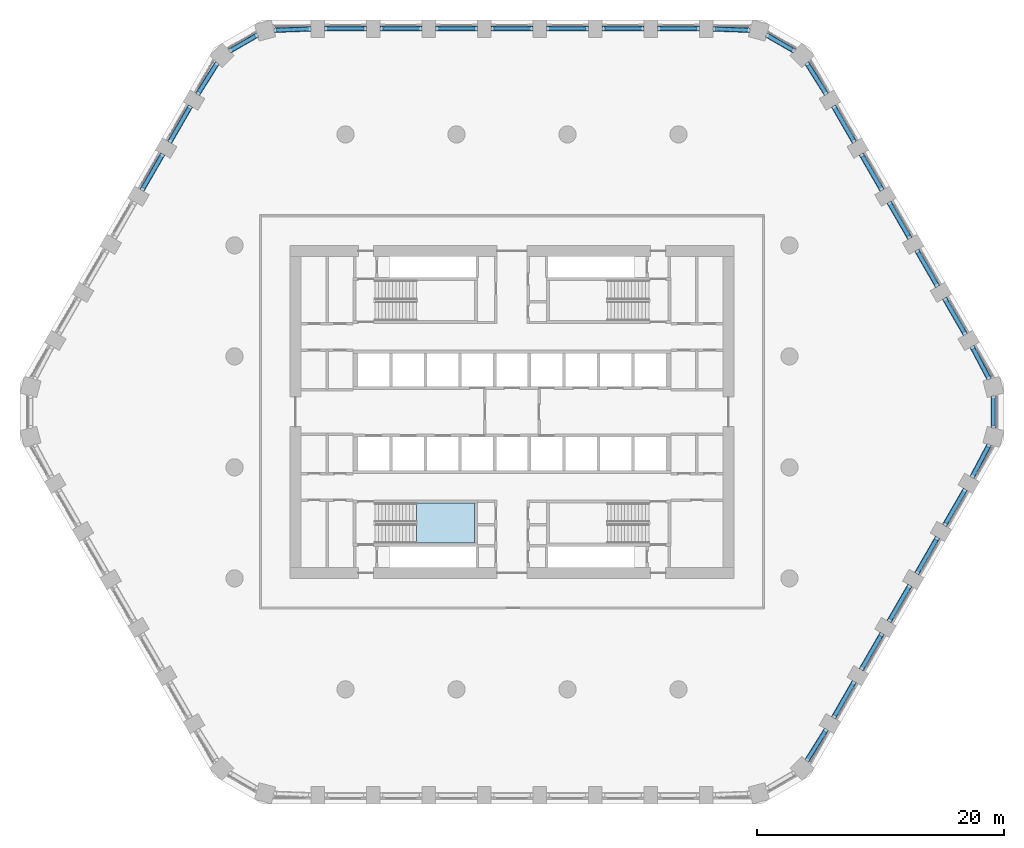
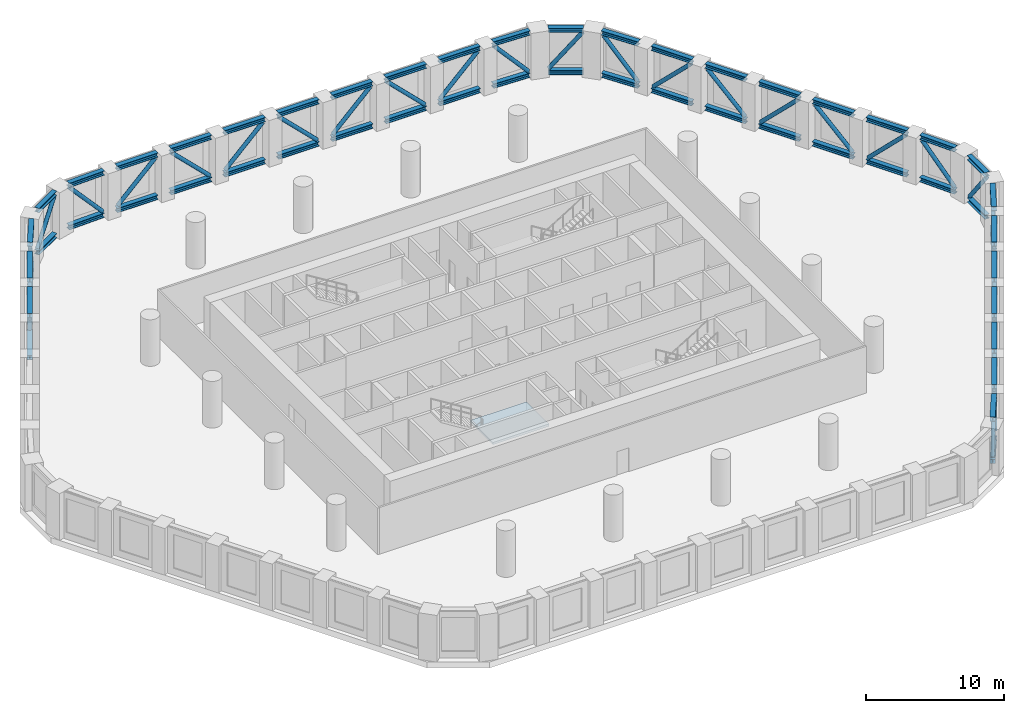
# One storey, part 2 of 18: 58 beams, 29 members, 1 slab, 1 element without a shape of its own.
"""IFC4 building model written with IfcOpenShell, lengths in metres."""

from ifc_helpers import new_model, si_unit, direction, frame, origin, origin_2d, place, context, subcontext, project, spatial, polyline, hollow_circle, i_section, outline, extrude, material, layer, layer_set, material_profile, profile_set, type_object, element, aggregate, save


model = new_model("IFC4")

# Units and contexts
model_context = context("Model", 3, precision=1e-05, world=origin(), true_north=direction((0.0, 1.0)))
body_context = subcontext(model_context, "Body", "Model", "MODEL_VIEW")
ifc_project = project(units=[si_unit("LENGTHUNIT", "METRE"), si_unit("AREAUNIT", "SQUARE_METRE"), si_unit("VOLUMEUNIT", "CUBIC_METRE"), si_unit("PLANEANGLEUNIT", "RADIAN"), si_unit("MASSUNIT", "GRAM", prefix="KILO")], contexts=[model_context])

# Site, building, storey
site_placement = place(None, origin())
site = spatial("IfcSite", under=ifc_project, at=site_placement, CompositionType="ELEMENT")
building_placement = place(site_placement, origin())
building = spatial("IfcBuilding", under=site, at=building_placement, Name="Dhurran Vertical Campus", CompositionType="ELEMENT")
storey_placement = place(building_placement, frame((0.0, 0.0, 76.800048828125)))
storey = spatial("IfcBuildingStorey", under=building, at=storey_placement, Name="L18 Plant", CompositionType="ELEMENT", Elevation=76.800048828125)

# Beams
ifc_material_1 = material(Name="Steel ASTM A992", Category="steel")
ifc_material_profile_1 = material_profile(ifc_material_1, i_section(OverallWidth=0.39794921875, OverallDepth=0.386962890625, WebThickness=0.02099609375, FlangeThickness=0.033203125, at=origin_2d()), Name="W360x262")
ifc_profile_set_1 = profile_set([ifc_material_profile_1], Name="Steel ASTM A992")
beam_type = type_object("IfcBeamType", Name="FR BELT CHORD W360x262", PredefinedType="BEAM", material=ifc_profile_set_1)
for number, where, z_axis, x_axis, name in (
    (1, (23.901123046875, -28.2939453125, 0.193359375), (0.531539080698, 0.84703376892, 0.0), (-0.84703376892, 0.531539080698, 0.0), "Belt truss chord L18"),
    (2, (23.901123046875, -28.2939453125, 3.931396484375), (0.531539080698, 0.84703376892, 0.0), (-0.84703376892, 0.531539080698, 0.0), "Belt truss chord L18"),
):
    element("IfcBeam", number, at=place(storey_placement, frame(where, z_axis=z_axis, x_axis=x_axis)), inside=storey, type_object=beam_type, Name=name, PredefinedType="BEAM", context=body_context, shape_type="SweptSolid", body=[
        extrude(i_section(OverallWidth=0.39794921875, OverallDepth=0.386962890625, WebThickness=0.02099609375, FlangeThickness=0.033203125, at=origin_2d()), origin(), (0.0, 0.0, 1.0), 3.0048828125),
    ])
for number, where, z_axis, x_axis, name in (
    (3, (26.06591796875, -24.806396484375, 0.193359375), (0.499977295307, 0.866038511948, 0.0), (-0.866038511948, 0.499977295307, 0.0), "Belt truss chord L18"),
    (4, (26.06591796875, -24.806396484375, 3.931396484375), (0.499977295307, 0.866038511948, 0.0), (-0.866038511948, 0.499977295307, 0.0), "Belt truss chord L18"),
):
    element("IfcBeam", number, at=place(storey_placement, frame(where, z_axis=z_axis, x_axis=x_axis)), inside=storey, type_object=beam_type, Name=name, PredefinedType="BEAM", context=body_context, shape_type="SweptSolid", body=[
        extrude(i_section(OverallWidth=0.39794921875, OverallDepth=0.386962890625, WebThickness=0.02099609375, FlangeThickness=0.033203125, at=origin_2d()), origin(), (0.0, 0.0, 1.0), 3.400146484375),
    ])
for number, where, z_axis, x_axis, name in (
    (5, (28.31591796875, -20.9091796875, 0.193359375), (0.500008388397, 0.866020560687, 0.0), (-0.866020560687, 0.500008388397, 0.0), "Belt truss chord L18"),
    (6, (28.31591796875, -20.9091796875, 3.931396484375), (0.500008388397, 0.866020560687, 0.0), (-0.866020560687, 0.500008388397, 0.0), "Belt truss chord L18"),
):
    element("IfcBeam", number, at=place(storey_placement, frame(where, z_axis=z_axis, x_axis=x_axis)), inside=storey, type_object=beam_type, Name=name, PredefinedType="BEAM", context=body_context, shape_type="SweptSolid", body=[
        extrude(i_section(OverallWidth=0.39794921875, OverallDepth=0.386962890625, WebThickness=0.02099609375, FlangeThickness=0.033203125, at=origin_2d()), origin(), (0.0, 0.0, 1.0), 3.39990234375),
    ])
for number, where, z_axis, x_axis, name in (
    (7, (30.56591796875, -17.01220703125, 0.193359375), (0.499977295307, 0.866038511948, 0.0), (-0.866038511948, 0.499977295307, 0.0), "Belt truss chord L18"),
    (8, (30.56591796875, -17.01220703125, 3.931396484375), (0.499977295307, 0.866038511948, 0.0), (-0.866038511948, 0.499977295307, 0.0), "Belt truss chord L18"),
    (9, (32.81591796875, -13.114990234375, 0.193359375), (0.499977295307, 0.866038511948, 0.0), (-0.866038511948, 0.499977295307, 0.0), "Belt truss chord L18"),
    (10, (32.81591796875, -13.114990234375, 3.931396484375), (0.499977295307, 0.866038511948, 0.0), (-0.866038511948, 0.499977295307, 0.0), "Belt truss chord L18"),
    (11, (35.06591796875, -9.218017578125, 0.193359375), (0.499977295307, 0.866038511948, 0.0), (-0.866038511948, 0.499977295307, 0.0), "Belt truss chord L18"),
    (12, (35.06591796875, -9.218017578125, 3.931396484375), (0.499977295307, 0.866038511948, 0.0), (-0.866038511948, 0.499977295307, 0.0), "Belt truss chord L18"),
):
    element("IfcBeam", number, at=place(storey_placement, frame(where, z_axis=z_axis, x_axis=x_axis)), inside=storey, type_object=beam_type, Name=name, PredefinedType="BEAM", context=body_context, shape_type="SweptSolid", body=[
        extrude(i_section(OverallWidth=0.39794921875, OverallDepth=0.386962890625, WebThickness=0.02099609375, FlangeThickness=0.033203125, at=origin_2d()), origin(), (0.0, 0.0, 1.0), 3.400146484375),
    ])
for number, where, z_axis, x_axis, name in (
    (13, (37.29833984375, -5.310791015625, 0.193359375), (0.467764521127, 0.883853128509, 0.0), (-0.883853128509, 0.467764521127, 0.0), "Belt truss chord L18"),
    (14, (37.29833984375, -5.310791015625, 3.931396484375), (0.467764521127, 0.883853128509, 0.0), (-0.883853128509, 0.467764521127, 0.0), "Belt truss chord L18"),
):
    element("IfcBeam", number, at=place(storey_placement, frame(where, z_axis=z_axis, x_axis=x_axis)), inside=storey, type_object=beam_type, Name=name, PredefinedType="BEAM", context=body_context, shape_type="SweptSolid", body=[
        extrude(i_section(OverallWidth=0.39794921875, OverallDepth=0.386962890625, WebThickness=0.02099609375, FlangeThickness=0.033203125, at=origin_2d()), origin(), (0.0, 0.0, 1.0), 3.004638671875),
    ])
for number, where, z_axis, x_axis, name in (
    (15, (39.039794921875, -1.295654296875, 0.193359375), (0.0, 1.0, 0.0), (-1.0, 0.0, 0.0), "Belt truss chord L18"),
    (16, (39.039794921875, -1.295654296875, 3.931396484375), (0.0, 1.0, 0.0), (-1.0, 0.0, 0.0), "Belt truss chord L18"),
):
    element("IfcBeam", number, at=place(storey_placement, frame(where, z_axis=z_axis, x_axis=x_axis)), inside=storey, type_object=beam_type, Name=name, PredefinedType="BEAM", context=body_context, shape_type="SweptSolid", body=[
        extrude(i_section(OverallWidth=0.39794921875, OverallDepth=0.386962890625, WebThickness=0.02099609375, FlangeThickness=0.033203125, at=origin_2d()), origin(), (0.0, 0.0, 1.0), 2.59130859375),
    ])
for number, where, z_axis, x_axis, name in (
    (17, (38.703857421875, 2.655029296875, 0.193359375), (-0.467764521127, 0.883853128509, 0.0), (-0.883853128509, -0.467764521127, 0.0), "Belt truss chord L18"),
    (18, (38.703857421875, 2.655029296875, 3.931396484375), (-0.467764521127, 0.883853128509, 0.0), (-0.883853128509, -0.467764521127, 0.0), "Belt truss chord L18"),
):
    element("IfcBeam", number, at=place(storey_placement, frame(where, z_axis=z_axis, x_axis=x_axis)), inside=storey, type_object=beam_type, Name=name, PredefinedType="BEAM", context=body_context, shape_type="SweptSolid", body=[
        extrude(i_section(OverallWidth=0.39794921875, OverallDepth=0.386962890625, WebThickness=0.02099609375, FlangeThickness=0.033203125, at=origin_2d()), origin(), (0.0, 0.0, 1.0), 3.004638671875),
    ])
for number, where, z_axis, x_axis, name in (
    (19, (36.765869140625, 6.2734375, 0.193359375), (-0.499977295307, 0.866038511948, 0.0), (-0.866038511948, -0.499977295307, 0.0), "Belt truss chord L18"),
    (20, (36.765869140625, 6.2734375, 3.931396484375), (-0.499977295307, 0.866038511948, 0.0), (-0.866038511948, -0.499977295307, 0.0), "Belt truss chord L18"),
    (21, (34.515869140625, 10.17041015625, 0.193359375), (-0.499977295307, 0.866038511948, 0.0), (-0.866038511948, -0.499977295307, 0.0), "Belt truss chord L18"),
    (22, (34.515869140625, 10.17041015625, 3.931396484375), (-0.499977295307, 0.866038511948, 0.0), (-0.866038511948, -0.499977295307, 0.0), "Belt truss chord L18"),
    (23, (32.265869140625, 14.067626953125, 0.193359375), (-0.499977295307, 0.866038511948, 0.0), (-0.866038511948, -0.499977295307, 0.0), "Belt truss chord L18"),
    (24, (32.265869140625, 14.067626953125, 3.931396484375), (-0.499977295307, 0.866038511948, 0.0), (-0.866038511948, -0.499977295307, 0.0), "Belt truss chord L18"),
):
    element("IfcBeam", number, at=place(storey_placement, frame(where, z_axis=z_axis, x_axis=x_axis)), inside=storey, type_object=beam_type, Name=name, PredefinedType="BEAM", context=body_context, shape_type="SweptSolid", body=[
        extrude(i_section(OverallWidth=0.39794921875, OverallDepth=0.386962890625, WebThickness=0.02099609375, FlangeThickness=0.033203125, at=origin_2d()), origin(), (0.0, 0.0, 1.0), 3.400146484375),
    ])
for number, where, z_axis, x_axis, name in (
    (25, (30.015869140625, 17.96484375, 0.193359375), (-0.500008388397, 0.866020560687, 0.0), (-0.866020560687, -0.500008388397, 0.0), "Belt truss chord L18"),
    (26, (30.015869140625, 17.96484375, 3.931396484375), (-0.500008388397, 0.866020560687, 0.0), (-0.866020560687, -0.500008388397, 0.0), "Belt truss chord L18"),
):
    element("IfcBeam", number, at=place(storey_placement, frame(where, z_axis=z_axis, x_axis=x_axis)), inside=storey, type_object=beam_type, Name=name, PredefinedType="BEAM", context=body_context, shape_type="SweptSolid", body=[
        extrude(i_section(OverallWidth=0.39794921875, OverallDepth=0.386962890625, WebThickness=0.02099609375, FlangeThickness=0.033203125, at=origin_2d()), origin(), (0.0, 0.0, 1.0), 3.39990234375),
    ])
for number, where, z_axis, x_axis, name in (
    (27, (27.765869140625, 21.86181640625, 0.193359375), (-0.499977295307, 0.866038511948, 0.0), (-0.866038511948, -0.499977295307, 0.0), "Belt truss chord L18"),
    (28, (27.765869140625, 21.86181640625, 3.931396484375), (-0.499977295307, 0.866038511948, 0.0), (-0.866038511948, -0.499977295307, 0.0), "Belt truss chord L18"),
):
    element("IfcBeam", number, at=place(storey_placement, frame(where, z_axis=z_axis, x_axis=x_axis)), inside=storey, type_object=beam_type, Name=name, PredefinedType="BEAM", context=body_context, shape_type="SweptSolid", body=[
        extrude(i_section(OverallWidth=0.39794921875, OverallDepth=0.386962890625, WebThickness=0.02099609375, FlangeThickness=0.033203125, at=origin_2d()), origin(), (0.0, 0.0, 1.0), 3.400146484375),
    ])
for number, where, z_axis, x_axis, name in (
    (29, (25.498291015625, 25.748779296875, 0.193359375), (-0.531539080698, 0.84703376892, 0.0), (-0.84703376892, -0.531539080698, 0.0), "Belt truss chord L18"),
    (30, (25.498291015625, 25.748779296875, 3.931396484375), (-0.531539080698, 0.84703376892, 0.0), (-0.84703376892, -0.531539080698, 0.0), "Belt truss chord L18"),
):
    element("IfcBeam", number, at=place(storey_placement, frame(where, z_axis=z_axis, x_axis=x_axis)), inside=storey, type_object=beam_type, Name=name, PredefinedType="BEAM", context=body_context, shape_type="SweptSolid", body=[
        extrude(i_section(OverallWidth=0.39794921875, OverallDepth=0.386962890625, WebThickness=0.02099609375, FlangeThickness=0.033203125, at=origin_2d()), origin(), (0.0, 0.0, 1.0), 3.0048828125),
    ])
for number, where, z_axis, x_axis, name in (
    (31, (22.891845703125, 29.2646484375, 0.193359375), (-0.866042797968, 0.49996987118, 0.0), (-0.49996987118, -0.866042797968, 0.0), "Belt truss chord L18"),
    (32, (22.891845703125, 29.2646484375, 3.931396484375), (-0.866042797968, 0.49996987118, 0.0), (-0.49996987118, -0.866042797968, 0.0), "Belt truss chord L18"),
):
    element("IfcBeam", number, at=place(storey_placement, frame(where, z_axis=z_axis, x_axis=x_axis)), inside=storey, type_object=beam_type, Name=name, PredefinedType="BEAM", context=body_context, shape_type="SweptSolid", body=[
        extrude(i_section(OverallWidth=0.39794921875, OverallDepth=0.386962890625, WebThickness=0.02099609375, FlangeThickness=0.033203125, at=origin_2d()), origin(), (0.0, 0.0, 1.0), 2.591064453125),
    ])
for number, where, z_axis, x_axis, name in (
    (33, (19.302734375, 30.948974609375, 0.193359375), (-0.999322381582, 0.036807304566, 0.0), (-0.036807304566, -0.999322381582, 0.0), "Belt truss chord L18"),
    (34, (19.302734375, 30.948974609375, 3.931396484375), (-0.999322381582, 0.036807304566, 0.0), (-0.036807304566, -0.999322381582, 0.0), "Belt truss chord L18"),
):
    element("IfcBeam", number, at=place(storey_placement, frame(where, z_axis=z_axis, x_axis=x_axis)), inside=storey, type_object=beam_type, Name=name, PredefinedType="BEAM", context=body_context, shape_type="SweptSolid", body=[
        extrude(i_section(OverallWidth=0.39794921875, OverallDepth=0.386962890625, WebThickness=0.02099609375, FlangeThickness=0.033203125, at=origin_2d()), origin(), (0.0, 0.0, 1.0), 3.004638671875),
    ])
for number, where, z_axis, x_axis, name in (
    (35, (15.199951171875, 31.079833984375, 0.193359375), (-1.0, 0.0, 0.0), (0.0, -1.0, 0.0), "Belt truss chord L18"),
    (36, (15.199951171875, 31.079833984375, 3.931396484375), (-1.0, 0.0, 0.0), (0.0, -1.0, 0.0), "Belt truss chord L18"),
    (37, (10.699951171875, 31.079833984375, 0.193359375), (-1.0, 0.0, 0.0), (0.0, -1.0, 0.0), "Belt truss chord L18"),
    (38, (10.699951171875, 31.079833984375, 3.931396484375), (-1.0, 0.0, 0.0), (0.0, -1.0, 0.0), "Belt truss chord L18"),
    (39, (6.199951171875, 31.079833984375, 0.193359375), (-1.0, 0.0, 0.0), (0.0, -1.0, 0.0), "Belt truss chord L18"),
    (40, (6.199951171875, 31.079833984375, 3.931396484375), (-1.0, 0.0, 0.0), (0.0, -1.0, 0.0), "Belt truss chord L18"),
    (41, (1.699951171875, 31.079833984375, 0.193359375), (-1.0, 0.0, 0.0), (0.0, -1.0, 0.0), "Belt truss chord L18"),
    (42, (1.699951171875, 31.079833984375, 3.931396484375), (-1.0, 0.0, 0.0), (0.0, -1.0, 0.0), "Belt truss chord L18"),
    (43, (-2.800048828125, 31.079833984375, 0.193359375), (-1.0, 0.0, 0.0), (0.0, -1.0, 0.0), "Belt truss chord L18"),
    (44, (-2.800048828125, 31.079833984375, 3.931396484375), (-1.0, 0.0, 0.0), (0.0, -1.0, 0.0), "Belt truss chord L18"),
    (45, (-7.300048828125, 31.079833984375, 0.193359375), (-1.0, 0.0, 0.0), (0.0, -1.0, 0.0), "Belt truss chord L18"),
    (46, (-7.300048828125, 31.079833984375, 3.931396484375), (-1.0, 0.0, 0.0), (0.0, -1.0, 0.0), "Belt truss chord L18"),
    (47, (-11.800048828125, 31.079833984375, 0.193359375), (-1.0, 0.0, 0.0), (0.0, -1.0, 0.0), "Belt truss chord L18"),
    (48, (-11.800048828125, 31.079833984375, 3.931396484375), (-1.0, 0.0, 0.0), (0.0, -1.0, 0.0), "Belt truss chord L18"),
):
    element("IfcBeam", number, at=place(storey_placement, frame(where, z_axis=z_axis, x_axis=x_axis)), inside=storey, type_object=beam_type, Name=name, PredefinedType="BEAM", context=body_context, shape_type="SweptSolid", body=[
        extrude(i_section(OverallWidth=0.39794921875, OverallDepth=0.386962890625, WebThickness=0.02099609375, FlangeThickness=0.033203125, at=origin_2d()), origin(), (0.0, 0.0, 1.0), 3.39990234375),
    ])
for number, where, z_axis, x_axis, name in (
    (49, (-16.300048828125, 31.0595703125, 0.193359375), (-0.999322381582, -0.036807304566, 0.0), (0.036807304566, -0.999322381582, 0.0), "Belt truss chord L18"),
    (50, (-16.300048828125, 31.0595703125, 3.931396484375), (-0.999322381582, -0.036807304566, 0.0), (0.036807304566, -0.999322381582, 0.0), "Belt truss chord L18"),
):
    element("IfcBeam", number, at=place(storey_placement, frame(where, z_axis=z_axis, x_axis=x_axis)), inside=storey, type_object=beam_type, Name=name, PredefinedType="BEAM", context=body_context, shape_type="SweptSolid", body=[
        extrude(i_section(OverallWidth=0.39794921875, OverallDepth=0.386962890625, WebThickness=0.02099609375, FlangeThickness=0.033203125, at=origin_2d()), origin(), (0.0, 0.0, 1.0), 3.004638671875),
    ])
for number, where, z_axis, x_axis, name in (
    (51, (-20.64794921875, 30.56005859375, 0.193359375), (-0.866042797968, -0.49996987118, 0.0), (0.49996987118, -0.866042797968, 0.0), "Belt truss chord L18"),
    (52, (-20.64794921875, 30.56005859375, 3.931396484375), (-0.866042797968, -0.49996987118, 0.0), (0.49996987118, -0.866042797968, 0.0), "Belt truss chord L18"),
):
    element("IfcBeam", number, at=place(storey_placement, frame(where, z_axis=z_axis, x_axis=x_axis)), inside=storey, type_object=beam_type, Name=name, PredefinedType="BEAM", context=body_context, shape_type="SweptSolid", body=[
        extrude(i_section(OverallWidth=0.39794921875, OverallDepth=0.386962890625, WebThickness=0.02099609375, FlangeThickness=0.033203125, at=origin_2d()), origin(), (0.0, 0.0, 1.0), 2.591064453125),
    ])
for number, where, z_axis, x_axis, name in (
    (53, (-23.901123046875, 28.2939453125, 0.193359375), (-0.531539080698, -0.84703376892, 0.0), (0.84703376892, -0.531539080698, 0.0), "Belt truss chord L18"),
    (54, (-23.901123046875, 28.2939453125, 3.931396484375), (-0.531539080698, -0.84703376892, 0.0), (0.84703376892, -0.531539080698, 0.0), "Belt truss chord L18"),
):
    element("IfcBeam", number, at=place(storey_placement, frame(where, z_axis=z_axis, x_axis=x_axis)), inside=storey, type_object=beam_type, Name=name, PredefinedType="BEAM", context=body_context, shape_type="SweptSolid", body=[
        extrude(i_section(OverallWidth=0.39794921875, OverallDepth=0.386962890625, WebThickness=0.02099609375, FlangeThickness=0.033203125, at=origin_2d()), origin(), (0.0, 0.0, 1.0), 3.0048828125),
    ])
for number, where, z_axis, x_axis, name in (
    (55, (-26.06591796875, 24.806396484375, 0.193359375), (-0.499977295307, -0.866038511948, 0.0), (0.866038511948, -0.499977295307, 0.0), "Belt truss chord L18"),
    (56, (-26.06591796875, 24.806396484375, 3.931396484375), (-0.499977295307, -0.866038511948, 0.0), (0.866038511948, -0.499977295307, 0.0), "Belt truss chord L18"),
):
    element("IfcBeam", number, at=place(storey_placement, frame(where, z_axis=z_axis, x_axis=x_axis)), inside=storey, type_object=beam_type, Name=name, PredefinedType="BEAM", context=body_context, shape_type="SweptSolid", body=[
        extrude(i_section(OverallWidth=0.39794921875, OverallDepth=0.386962890625, WebThickness=0.02099609375, FlangeThickness=0.033203125, at=origin_2d()), origin(), (0.0, 0.0, 1.0), 3.400146484375),
    ])
for number, where, z_axis, x_axis, name in (
    (57, (-28.31591796875, 20.9091796875, 0.193359375), (-0.500008388397, -0.866020560687, 0.0), (0.866020560687, -0.500008388397, 0.0), "Belt truss chord L18"),
    (58, (-28.31591796875, 20.9091796875, 3.931396484375), (-0.500008388397, -0.866020560687, 0.0), (0.866020560687, -0.500008388397, 0.0), "Belt truss chord L18"),
):
    element("IfcBeam", number, at=place(storey_placement, frame(where, z_axis=z_axis, x_axis=x_axis)), inside=storey, type_object=beam_type, Name=name, PredefinedType="BEAM", context=body_context, shape_type="SweptSolid", body=[
        extrude(i_section(OverallWidth=0.39794921875, OverallDepth=0.386962890625, WebThickness=0.02099609375, FlangeThickness=0.033203125, at=origin_2d()), origin(), (0.0, 0.0, 1.0), 3.39990234375),
    ])

# Members
ifc_material_2 = material(Name="Steel S355J2H", Category="steel")
ifc_material_profile_2 = material_profile(ifc_material_2, hollow_circle(Radius=0.161865234375, WallThickness=0.012451171875, at=origin_2d()), Name="CHS323.9x12.5")
ifc_profile_set_2 = profile_set([ifc_material_profile_2], Name="Steel S355J2H")
member_type = type_object("IfcMemberType", Name="FR BELT DIAGONAL CHS323.9x12.5", PredefinedType="BRACE", material=ifc_profile_set_2)
member_1_placement = place(storey_placement, frame((23.95263671875, -28.2119140625, 0.4951171875), z_axis=(0.354866693069, 0.56546731876, 0.7445242384), x_axis=(-0.847020954867, 0.531559499978, 0.0)))
element("IfcMember", 59, at=member_1_placement, inside=storey, type_object=member_type, Name="Belt truss diagonal L18", PredefinedType="BRACE", context=body_context, shape_type="SweptSolid", body=[
    extrude(hollow_circle(Radius=0.161865234375, WallThickness=0.012451171875, at=origin_2d()), origin(), (0.0, 0.0, 1.0), 4.21044921875),
])
for number, where, z_axis, x_axis, name in (
    (60, (27.70751953125, -21.96337890625, 0.502197265625), (-0.356119100583, -0.616782464458, 0.701967647216), (0.866013499974, -0.500020617438, 0.0), "Belt truss diagonal L18"),
    (61, (28.37451171875, -20.807861328125, 0.502197265625), (0.356119100583, 0.616782464458, 0.701967647216), (-0.866013499974, 0.500020617438, 0.0), "Belt truss diagonal L18"),
):
    element("IfcMember", number, at=place(storey_placement, frame(where, z_axis=z_axis, x_axis=x_axis)), inside=storey, type_object=member_type, Name=name, PredefinedType="BRACE", context=body_context, shape_type="SweptSolid", body=[
        extrude(hollow_circle(Radius=0.161865234375, WallThickness=0.012451171875, at=origin_2d()), origin(), (0.0, 0.0, 1.0), 4.445068359375),
    ])
member_2_placement = place(storey_placement, frame((32.20751953125, -14.1689453125, 0.502197265625), z_axis=(-0.356107036986, -0.616816491732, 0.701943867939), x_axis=(0.866032778651, -0.499987226139, 0.0)))
element("IfcMember", 62, at=member_2_placement, inside=storey, type_object=member_type, Name="Belt truss diagonal L18", PredefinedType="BRACE", context=body_context, shape_type="SweptSolid", body=[
    extrude(hollow_circle(Radius=0.161865234375, WallThickness=0.012451171875, at=origin_2d()), origin(), (0.0, 0.0, 1.0), 4.4453125),
])
for number, where, z_axis, x_axis, name in (
    (63, (32.87451171875, -13.013671875, 0.502197265625), (0.356119100583, 0.616782464458, 0.701967647216), (-0.866013499974, 0.500020617438, 0.0), "Belt truss diagonal L18"),
    (64, (36.70751953125, -6.374755859375, 0.502197265625), (-0.356119100583, -0.616782464458, 0.701967647216), (0.866013499974, -0.500020617438, 0.0), "Belt truss diagonal L18"),
):
    element("IfcMember", number, at=place(storey_placement, frame(where, z_axis=z_axis, x_axis=x_axis)), inside=storey, type_object=member_type, Name=name, PredefinedType="BRACE", context=body_context, shape_type="SweptSolid", body=[
        extrude(hollow_circle(Radius=0.161865234375, WallThickness=0.012451171875, at=origin_2d()), origin(), (0.0, 0.0, 1.0), 4.445068359375),
    ])
member_3_placement = place(storey_placement, frame((37.34375, -5.22509765625, 0.4951171875), z_axis=(0.31225141768, 0.590059503492, 0.744532628228), x_axis=(-0.883870300674, 0.467732072438, 0.0)))
element("IfcMember", 65, at=member_3_placement, inside=storey, type_object=member_type, Name="Belt truss diagonal L18", PredefinedType="BRACE", context=body_context, shape_type="SweptSolid", body=[
    extrude(hollow_circle(Radius=0.161865234375, WallThickness=0.012451171875, at=origin_2d()), origin(), (0.0, 0.0, 1.0), 4.21044921875),
])
member_4_placement = place(storey_placement, frame((39.039794921875, 1.218994140625, 0.486083984375), z_axis=(0.0, -0.611715952192, 0.791077489146), x_axis=(1.0, 0.0, 0.0)))
element("IfcMember", 66, at=member_4_placement, inside=storey, type_object=member_type, Name="Belt truss diagonal L18", PredefinedType="BRACE", context=body_context, shape_type="SweptSolid", body=[
    extrude(hollow_circle(Radius=0.161865234375, WallThickness=0.012451171875, at=origin_2d()), origin(), (0.0, 0.0, 1.0), 3.985595703125),
])
member_5_placement = place(storey_placement, frame((38.658447265625, 2.74072265625, 0.4951171875), z_axis=(-0.31225141768, 0.590059503492, 0.744532628228), x_axis=(-0.883870300674, -0.467732072438, 0.0)))
element("IfcMember", 67, at=member_5_placement, inside=storey, type_object=member_type, Name="Belt truss diagonal L18", PredefinedType="BRACE", context=body_context, shape_type="SweptSolid", body=[
    extrude(hollow_circle(Radius=0.161865234375, WallThickness=0.012451171875, at=origin_2d()), origin(), (0.0, 0.0, 1.0), 4.21044921875),
])
for number, where, z_axis, x_axis, name in (
    (68, (35.12451171875, 9.116455078125, 0.502197265625), (0.356119100583, -0.616782464458, 0.701967647216), (0.866013499974, 0.500020617438, 0.0), "Belt truss diagonal L18"),
    (69, (34.45751953125, 10.27197265625, 0.502197265625), (-0.356119100583, 0.616782464458, 0.701967647216), (-0.866013499974, -0.500020617438, 0.0), "Belt truss diagonal L18"),
):
    element("IfcMember", number, at=place(storey_placement, frame(where, z_axis=z_axis, x_axis=x_axis)), inside=storey, type_object=member_type, Name=name, PredefinedType="BRACE", context=body_context, shape_type="SweptSolid", body=[
        extrude(hollow_circle(Radius=0.161865234375, WallThickness=0.012451171875, at=origin_2d()), origin(), (0.0, 0.0, 1.0), 4.445068359375),
    ])
member_6_placement = place(storey_placement, frame((30.62451171875, 16.910888671875, 0.502197265625), z_axis=(0.356107036986, -0.616816491732, 0.701943867939), x_axis=(0.866032778651, 0.499987226139, 0.0)))
element("IfcMember", 70, at=member_6_placement, inside=storey, type_object=member_type, Name="Belt truss diagonal L18", PredefinedType="BRACE", context=body_context, shape_type="SweptSolid", body=[
    extrude(hollow_circle(Radius=0.161865234375, WallThickness=0.012451171875, at=origin_2d()), origin(), (0.0, 0.0, 1.0), 4.4453125),
])
for number, where, z_axis, x_axis, name in (
    (71, (29.95751953125, 18.066162109375, 0.502197265625), (-0.356119100583, 0.616782464458, 0.701967647216), (-0.866013499974, -0.500020617438, 0.0), "Belt truss diagonal L18"),
    (72, (26.12451171875, 24.705078125, 0.502197265625), (0.356119100583, -0.616782464458, 0.701967647216), (0.866013499974, 0.500020617438, 0.0), "Belt truss diagonal L18"),
):
    element("IfcMember", number, at=place(storey_placement, frame(where, z_axis=z_axis, x_axis=x_axis)), inside=storey, type_object=member_type, Name=name, PredefinedType="BRACE", context=body_context, shape_type="SweptSolid", body=[
        extrude(hollow_circle(Radius=0.161865234375, WallThickness=0.012451171875, at=origin_2d()), origin(), (0.0, 0.0, 1.0), 4.445068359375),
    ])
member_7_placement = place(storey_placement, frame((25.44677734375, 25.8310546875, 0.4951171875), z_axis=(-0.354866693069, 0.56546731876, 0.7445242384), x_axis=(-0.847020954867, -0.531559499978, 0.0)))
element("IfcMember", 73, at=member_7_placement, inside=storey, type_object=member_type, Name="Belt truss diagonal L18", PredefinedType="BRACE", context=body_context, shape_type="SweptSolid", body=[
    extrude(hollow_circle(Radius=0.161865234375, WallThickness=0.012451171875, at=origin_2d()), origin(), (0.0, 0.0, 1.0), 4.21044921875),
])
member_8_placement = place(storey_placement, frame((20.714111328125, 30.521728515625, 0.486083984375), z_axis=(0.529809829071, -0.305793810466, 0.791069965617), x_axis=(0.499887154776, 0.866090545203, 0.0)))
element("IfcMember", 74, at=member_8_placement, inside=storey, type_object=member_type, Name="Belt truss diagonal L18", PredefinedType="BRACE", context=body_context, shape_type="SweptSolid", body=[
    extrude(hollow_circle(Radius=0.161865234375, WallThickness=0.012451171875, at=origin_2d()), origin(), (0.0, 0.0, 1.0), 3.985595703125),
])
member_9_placement = place(storey_placement, frame((19.205810546875, 30.952392578125, 0.4951171875), z_axis=(-0.667127044446, 0.024585994511, 0.744538135653), x_axis=(-0.036828540466, -0.99932159919, 0.0)))
element("IfcMember", 75, at=member_9_placement, inside=storey, type_object=member_type, Name="Belt truss diagonal L18", PredefinedType="BRACE", context=body_context, shape_type="SweptSolid", body=[
    extrude(hollow_circle(Radius=0.161865234375, WallThickness=0.012451171875, at=origin_2d()), origin(), (0.0, 0.0, 1.0), 4.21044921875),
])
for number, where, z_axis, x_axis, name in (
    (76, (11.9169921875, 31.079833984375, 0.502197265625), (0.712223304125, 0.0, 0.701952964992), (0.0, 1.0, 0.0), "Belt truss diagonal L18"),
    (77, (10.5830078125, 31.079833984375, 0.502197265625), (-0.712223304125, 0.0, 0.701952964992), (0.0, -1.0, 0.0), "Belt truss diagonal L18"),
    (78, (2.9169921875, 31.079833984375, 0.502197265625), (0.712223304125, 0.0, 0.701952964992), (0.0, 1.0, 0.0), "Belt truss diagonal L18"),
    (79, (1.5830078125, 31.079833984375, 0.502197265625), (-0.712223304125, 0.0, 0.701952964992), (0.0, -1.0, 0.0), "Belt truss diagonal L18"),
    (80, (-6.0830078125, 31.079833984375, 0.502197265625), (0.712223304125, 0.0, 0.701952964992), (0.0, 1.0, 0.0), "Belt truss diagonal L18"),
    (81, (-7.4169921875, 31.079833984375, 0.502197265625), (-0.712223304125, 0.0, 0.701952964992), (0.0, -1.0, 0.0), "Belt truss diagonal L18"),
    (82, (-15.0830078125, 31.079833984375, 0.502197265625), (0.712223304125, 0.0, 0.701952964992), (0.0, 1.0, 0.0), "Belt truss diagonal L18"),
):
    element("IfcMember", number, at=place(storey_placement, frame(where, z_axis=z_axis, x_axis=x_axis)), inside=storey, type_object=member_type, Name=name, PredefinedType="BRACE", context=body_context, shape_type="SweptSolid", body=[
        extrude(hollow_circle(Radius=0.161865234375, WallThickness=0.012451171875, at=origin_2d()), origin(), (0.0, 0.0, 1.0), 4.4453125),
    ])
member_10_placement = place(storey_placement, frame((-16.39697265625, 31.055908203125, 0.4951171875), z_axis=(-0.667127044446, -0.024585994511, 0.744538135653), x_axis=(0.036828540466, -0.99932159919, 0.0)))
element("IfcMember", 83, at=member_10_placement, inside=storey, type_object=member_type, Name="Belt truss diagonal L18", PredefinedType="BRACE", context=body_context, shape_type="SweptSolid", body=[
    extrude(hollow_circle(Radius=0.161865234375, WallThickness=0.012451171875, at=origin_2d()), origin(), (0.0, 0.0, 1.0), 4.21044921875),
])
member_11_placement = place(storey_placement, frame((-22.82568359375, 29.302978515625, 0.486083984375), z_axis=(0.529809829071, 0.305793810466, 0.791069965617), x_axis=(-0.499887154776, 0.866090545203, 0.0)))
element("IfcMember", 84, at=member_11_placement, inside=storey, type_object=member_type, Name="Belt truss diagonal L18", PredefinedType="BRACE", context=body_context, shape_type="SweptSolid", body=[
    extrude(hollow_circle(Radius=0.161865234375, WallThickness=0.012451171875, at=origin_2d()), origin(), (0.0, 0.0, 1.0), 3.985595703125),
])
member_12_placement = place(storey_placement, frame((-23.95263671875, 28.2119140625, 0.4951171875), z_axis=(-0.354866693069, -0.56546731876, 0.7445242384), x_axis=(0.847020954867, -0.531559499978, 0.0)))
element("IfcMember", 85, at=member_12_placement, inside=storey, type_object=member_type, Name="Belt truss diagonal L18", PredefinedType="BRACE", context=body_context, shape_type="SweptSolid", body=[
    extrude(hollow_circle(Radius=0.161865234375, WallThickness=0.012451171875, at=origin_2d()), origin(), (0.0, 0.0, 1.0), 4.21044921875),
])
for number, where, z_axis, x_axis, name in (
    (86, (-27.70751953125, 21.96337890625, 0.502197265625), (0.356119100583, 0.616782464458, 0.701967647216), (-0.866013499974, 0.500020617438, 0.0), "Belt truss diagonal L18"),
    (87, (-28.37451171875, 20.807861328125, 0.502197265625), (-0.356119100583, -0.616782464458, 0.701967647216), (0.866013499974, -0.500020617438, 0.0), "Belt truss diagonal L18"),
):
    element("IfcMember", number, at=place(storey_placement, frame(where, z_axis=z_axis, x_axis=x_axis)), inside=storey, type_object=member_type, Name=name, PredefinedType="BRACE", context=body_context, shape_type="SweptSolid", body=[
        extrude(hollow_circle(Radius=0.161865234375, WallThickness=0.012451171875, at=origin_2d()), origin(), (0.0, 0.0, 1.0), 4.445068359375),
    ])

# Stair, slab
ifc_material_3 = material(Name="Concrete C40/50", Category="concrete")
stair_type = type_object("IfcStairType", Name="co-ST-CORE", PredefinedType="HALF_TURN_STAIR", material=ifc_material_3)
stair_placement = place(storey_placement, origin())
stair = element("IfcStair", 88, at=stair_placement, inside=storey, type_object=stair_type, Name="L18 Plant Protected exit stair ST3", PredefinedType="HALF_TURN_STAIR")
ifc_material_4 = material(Name="Concrete C40/50", Category="concrete")
ifc_layer = layer(ifc_material_4, 0.199951171875)
ifc_layer_set = layer_set([ifc_layer], Name="Concrete C40/50")
slab_type = type_object("IfcSlabType", Name="co-SL-LANDING", PredefinedType="LANDING", material=ifc_layer_set)
slab_placement = place(storey_placement, frame((0.0, 0.0, 2.050048828125)))
slab = element("IfcSlab", 89, at=slab_placement, type_object=slab_type, Name="ST3 landing 1", PredefinedType="LANDING", context=body_context, shape_type="SweptSolid", body=[
    extrude(outline(polyline([(-7.739990234375, -10.64990234375), (-3.050048828125, -10.64990234375), (-3.050048828125, -7.39990234375), (-7.739990234375, -7.39990234375), (-7.739990234375, -10.64990234375)])), origin(), (0.0, 0.0, 1.0), 0.199951171875),
])
aggregate(stair, [slab])

save(model, "model.ifc")
